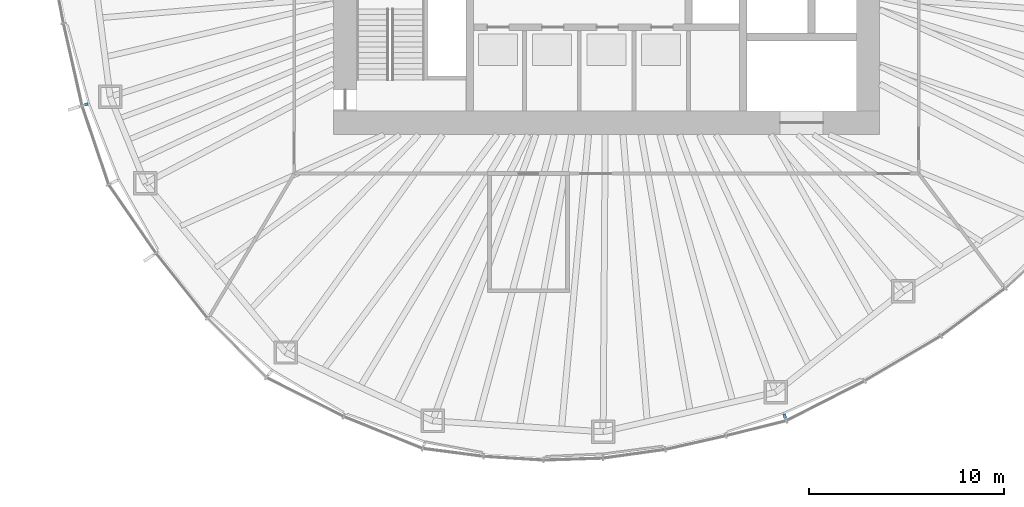
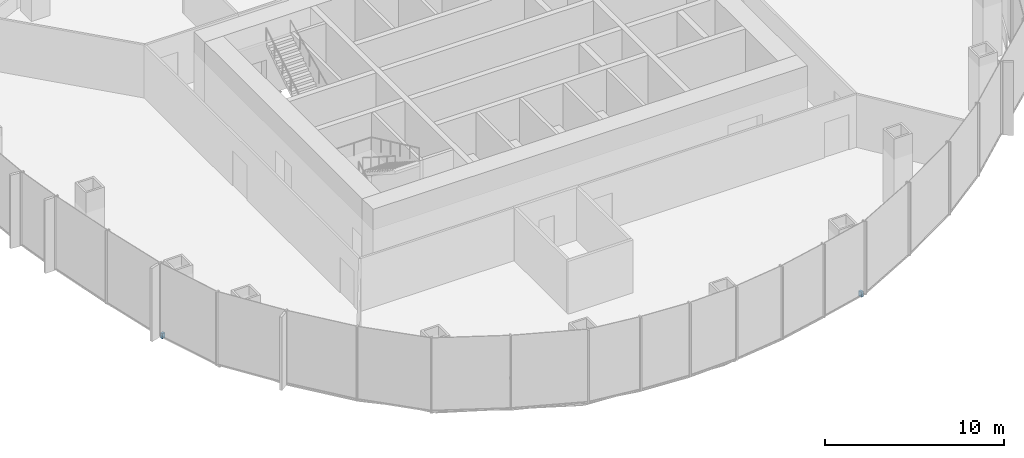
# One storey, part 12 of 18: 2 discrete accessories.
"""IFC4 building model written with IfcOpenShell, lengths in metres."""

from ifc_helpers import new_model, si_unit, direction, frame, origin, origin_2d, place, context, subcontext, project, spatial, rectangle, extrude, material, type_object, element, save


model = new_model("IFC4")

# Units and contexts
model_context = context("Model", 3, precision=1e-05, world=origin(), true_north=direction((0.0, 1.0)))
body_context = subcontext(model_context, "Body", "Model", "MODEL_VIEW")
ifc_project = project(units=[si_unit("LENGTHUNIT", "METRE"), si_unit("AREAUNIT", "SQUARE_METRE"), si_unit("VOLUMEUNIT", "CUBIC_METRE"), si_unit("PLANEANGLEUNIT", "RADIAN"), si_unit("MASSUNIT", "GRAM", prefix="KILO")], contexts=[model_context])

# Site, building, storey
site_placement = place(None, origin())
site = spatial("IfcSite", under=ifc_project, at=site_placement, CompositionType="ELEMENT")
building_placement = place(site_placement, origin())
building = spatial("IfcBuilding", under=site, at=building_placement, Name="Ghaith Harvest Tower", CompositionType="ELEMENT")
storey_placement = place(building_placement, frame((0.0, 0.0, 184.800048828125)))
storey = spatial("IfcBuildingStorey", under=building, at=storey_placement, Name="L40", CompositionType="ELEMENT", Elevation=184.800048828125)

# Discrete accessories
ifc_material_1 = material(Name="Stainless steel grade 1.4401", Category="steel")
discrete_accessory_type_1 = type_object("IfcDiscreteAccessoryType", Name="CURTAIN WALL BRACKET 185", PredefinedType="BRACKET", material=ifc_material_1)
discrete_accessory_1_placement = place(storey_placement, frame((-26.66357421875, -8.4501953125, -0.25), z_axis=(0.0, 0.0, 1.0), x_axis=(-0.953273219416, -0.302109531701, 0.0)))
element("IfcDiscreteAccessory", 1, at=discrete_accessory_1_placement, inside=storey, type_object=discrete_accessory_type_1, Name="CW-S bracket 1 bay 12 L40", PredefinedType="BRACKET", context=body_context, shape_type="SweptSolid", body=[
    extrude(rectangle(XDim=0.18505859375, YDim=0.14990234375, at=origin_2d()), origin(), (0.0, 0.0, 1.0), 0.35009765625),
])
ifc_material_2 = material(Name="Stainless steel grade 1.4401", Category="steel")
discrete_accessory_type_2 = type_object("IfcDiscreteAccessoryType", Name="CURTAIN WALL BRACKET 225", PredefinedType="BRACKET", material=ifc_material_2)
discrete_accessory_2_placement = place(storey_placement, frame((9.1318359375, -24.427490234375, -0.25), z_axis=(0.0, 0.0, 1.0), x_axis=(0.35016769691, -0.93668702566, 0.0)))
element("IfcDiscreteAccessory", 2, at=discrete_accessory_2_placement, inside=storey, type_object=discrete_accessory_type_2, Name="CW-S bracket 1 bay 17 L40", PredefinedType="BRACKET", context=body_context, shape_type="SweptSolid", body=[
    extrude(rectangle(XDim=0.22509765625, YDim=0.14990234375, at=origin_2d()), origin(), (0.0, 0.0, 1.0), 0.35009765625),
])

save(model, "model.ifc")
